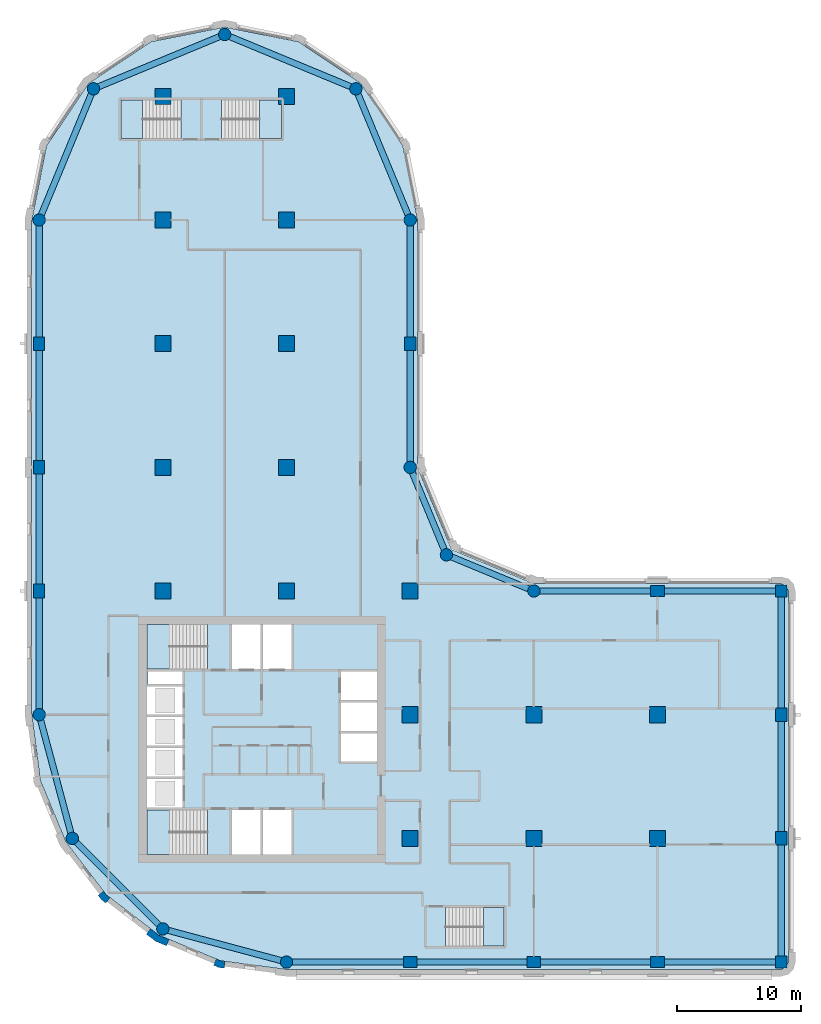
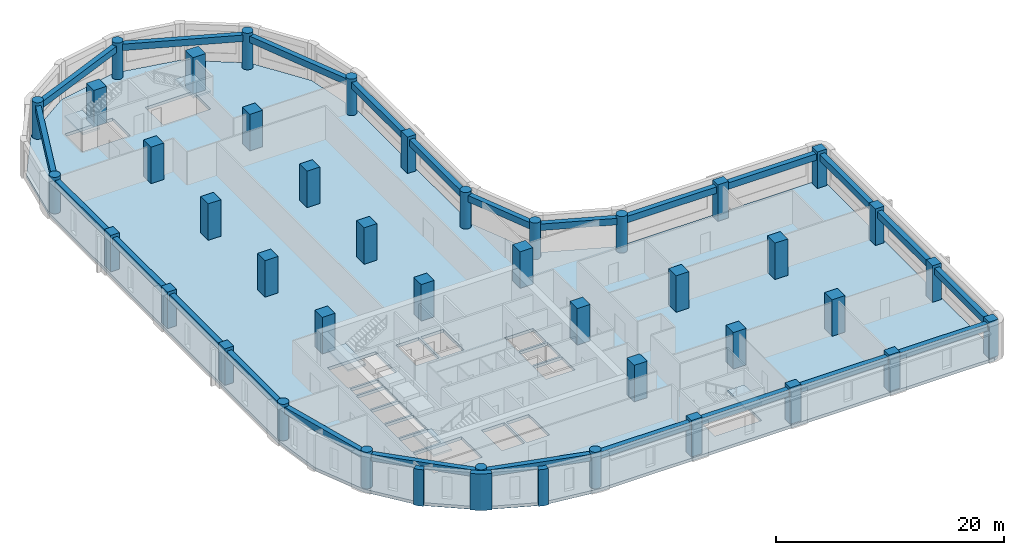
# One storey, part 1 of 9: 41 columns, 24 beams, 6 slabs, 3 walls, 5 elements without a shape of their own.
"""IFC4 building model written with IfcOpenShell, lengths in metres."""

import ifcopenshell
import ifcopenshell.guid

model = None  # the IFC model being written
_history = None  # IfcOwnerHistory: only IFC2X3 demands one
_inside = {}  # id of a spatial element -> (the spatial element, [elements in it])
_under = {}  # id of a project, library or spatial element -> (it, [spatial elements below it])
_declared = {}  # id of a project -> (the project, [libraries it declares])
_typed = {}  # id of a type object -> (the type object, [elements of that type])
_made_of = {}  # id of a material, layer set ... -> (it, [elements and type objects made of it])


def new_model(schema):
    """Start an empty IFC model of exactly this schema.

    Asked for "IFC4X3", IfcOpenShell would pick the latest addendum, in which some entities
    have other attributes; the version numbers below select the first issue.
    IFC2X3 requires an IfcOwnerHistory on every rooted entity: one is made here for all.
    """
    global model, _history
    if schema == "IFC4X3":
        model = ifcopenshell.file(schema_version=(4, 3, 0, 0))
    else:
        model = ifcopenshell.file(schema=schema)
    _inside.clear()
    _under.clear()
    _declared.clear()
    _typed.clear()
    _made_of.clear()
    _history = None
    if model.schema == "IFC2X3":
        org = make("IfcOrganization", Name="unknown")
        user = make(
            "IfcPersonAndOrganization",
            ThePerson=make("IfcPerson", FamilyName="unknown"),
            TheOrganization=org,
        )
        app = make(
            "IfcApplication",
            ApplicationDeveloper=org,
            Version="unknown",
            ApplicationFullName="unknown",
            ApplicationIdentifier="unknown",
        )
        _history = make(
            "IfcOwnerHistory",
            OwningUser=user,
            OwningApplication=app,
            ChangeAction="ADDED",
            CreationDate=0,
        )
    return model


def make(cls, **values):
    """One entity of the class cls with the attributes given. An attribute that is None is left unset."""
    return model.create_entity(
        cls, **{name: value for name, value in values.items() if value is not None}
    )


def rooted(cls, **values):
    """An entity with a GlobalId (a new one), such as an element, a storey or a relation."""
    return make(cls, GlobalId=ifcopenshell.guid.new(), OwnerHistory=_history, **values)


def si_unit(unit_type, name, prefix=None):
    """IfcSIUnit, for example si_unit("LENGTHUNIT", "METRE", prefix="MILLI")."""
    return make("IfcSIUnit", UnitType=unit_type, Prefix=prefix, Name=name)


def assignment(units):
    """IfcUnitAssignment: the units of a project."""
    return None if units is None else make("IfcUnitAssignment", Units=units)


def point(xyz):
    """IfcCartesianPoint."""
    return None if xyz is None else make("IfcCartesianPoint", Coordinates=xyz)


def direction(xyz):
    """IfcDirection."""
    return None if xyz is None else make("IfcDirection", DirectionRatios=xyz)


def frame(location, z_axis=None, x_axis=None):
    """IfcAxis2Placement3D, a coordinate frame: its origin and axes. An axis left out is left unset."""
    return make(
        "IfcAxis2Placement3D",
        Location=point(location),
        Axis=direction(z_axis),
        RefDirection=direction(x_axis),
    )


def frame_2d(location, x_axis=None):
    """IfcAxis2Placement2D, a coordinate frame in the plane: its origin and x axis."""
    return make(
        "IfcAxis2Placement2D", Location=point(location), RefDirection=direction(x_axis)
    )


def origin():
    """The frame at (0, 0, 0) with its axes left unset."""
    return frame((0.0, 0.0, 0.0))


def origin_2d():
    """The frame at (0, 0) in the plane with its x axis left unset."""
    return frame_2d((0.0, 0.0))


def place(relative_to, where):
    """IfcLocalPlacement: puts the frame where relative to a parent placement (None: the world)."""
    return make(
        "IfcLocalPlacement", PlacementRelTo=relative_to, RelativePlacement=where
    )


def context(
    kind, dimensions, precision=None, world=None, true_north=None, identifier=None
):
    """IfcGeometricRepresentationContext, for example the 3D "Model" context."""
    return make(
        "IfcGeometricRepresentationContext",
        ContextIdentifier=identifier,
        ContextType=kind,
        CoordinateSpaceDimension=dimensions,
        Precision=precision,
        WorldCoordinateSystem=world,
        TrueNorth=true_north,
    )


def subcontext(parent, identifier, kind, view, scale=None):
    """IfcGeometricRepresentationSubContext, for example "Body" below "Model"."""
    return make(
        "IfcGeometricRepresentationSubContext",
        ContextIdentifier=identifier,
        ContextType=kind,
        ParentContext=parent,
        TargetScale=scale,
        TargetView=view,
    )


def project(units=None, contexts=None):
    """IfcProject with its units and contexts."""
    return rooted(
        "IfcProject",
        Name="project",
        RepresentationContexts=contexts,
        UnitsInContext=assignment(units),
    )


def spatial(cls, under=None, at=None, **own):
    """A site, building, storey or space (cls), placed at a placement, below another one or the project."""
    s = rooted(cls, ObjectPlacement=at, **own)
    if under is not None:
        _under.setdefault(under.id(), (under, []))[1].append(s)
    return s


def polyline(points):
    """IfcPolyline through the points."""
    return make("IfcPolyline", Points=[point(p) for p in points])


def profile(cls, at=None, kind="AREA", **sizes):
    """A parametric profile (cls). Its sizes go by their IFC names, for example OverallWidth=200.0."""
    return make(cls, ProfileType=kind, Position=at, **sizes)


def rectangle(**sizes):
    """IfcRectangleProfileDef."""
    return profile("IfcRectangleProfileDef", **sizes)


def circle(**sizes):
    """IfcCircleProfileDef."""
    return profile("IfcCircleProfileDef", **sizes)


def outline(outer, holes=None, kind="AREA"):
    """IfcArbitraryClosedProfileDef: a profile drawn as a closed curve; with holes, ...WithVoids."""
    if holes is None:
        return make("IfcArbitraryClosedProfileDef", ProfileType=kind, OuterCurve=outer)
    return make(
        "IfcArbitraryProfileDefWithVoids",
        ProfileType=kind,
        OuterCurve=outer,
        InnerCurves=holes,
    )


def extrude(swept, where, along, depth):
    """IfcExtrudedAreaSolid: the profile swept, set in the frame where, extruded along a direction by depth."""
    return make(
        "IfcExtrudedAreaSolid",
        SweptArea=swept,
        Position=where,
        ExtrudedDirection=direction(along),
        Depth=depth,
    )


def shape(context_of_items, identifier, shape_type, items):
    """IfcShapeRepresentation: the items that make up one representation, for example the "Body"."""
    return make(
        "IfcShapeRepresentation",
        ContextOfItems=context_of_items,
        RepresentationIdentifier=identifier,
        RepresentationType=shape_type,
        Items=items,
    )


def material(Name=None, Category=None):
    """IfcMaterial."""
    return make("IfcMaterial", Name=Name, Category=Category)


def layer(
    of_material, thickness, ventilated=None, Name=None, Category=None, Priority=None
):
    """IfcMaterialLayer: one layer of a wall or slab, of a material (None: an air gap)."""
    return make(
        "IfcMaterialLayer",
        Material=of_material,
        LayerThickness=thickness,
        IsVentilated=ventilated,
        Name=Name,
        Category=Category,
        Priority=Priority,
    )


def layer_set(layers, Name=None):
    """IfcMaterialLayerSet."""
    return make("IfcMaterialLayerSet", MaterialLayers=layers, LayerSetName=Name)


def material_profile(
    of_material, cross_section, Name=None, Category=None, Priority=None
):
    """IfcMaterialProfile: a cross section and its material."""
    return make(
        "IfcMaterialProfile",
        Name=Name,
        Material=of_material,
        Profile=cross_section,
        Priority=Priority,
        Category=Category,
    )


def profile_set(profiles, Name=None, composite=None):
    """IfcMaterialProfileSet."""
    return make(
        "IfcMaterialProfileSet",
        Name=Name,
        MaterialProfiles=profiles,
        CompositeProfile=composite,
    )


def made_of(thing, what):
    """Note that an element or type object is made of a material, layer set ...; save() writes the relation."""
    if what is not None:
        _made_of.setdefault(what.id(), (what, []))[1].append(thing)
    return thing


def type_object(cls, material=None, **own):
    """A type object (cls), such as IfcWallType, which elements share."""
    return made_of(rooted(cls, **own), material)


def element(
    cls,
    number,
    at=None,
    inside=None,
    cuts=None,
    type_object=None,
    material=None,
    context=None,
    identifier="Body",
    shape_type=None,
    held_by="IfcProductDefinitionShape",
    body=None,
    shapes=None,
    **own,
):
    """One element of the class cls, such as IfcWall. Its Tag is "e" and its number.

    at: its placement. inside: the storey or other place that contains it. cuts: it is an
    opening in that element (IfcRelVoidsElement). A single representation is given by context,
    identifier, shape_type and body (its items); several are given by shapes. held_by: the class
    of the entity that holds the representations. save() writes the other relations.
    """
    e = rooted(cls, Tag="e%d" % number, ObjectPlacement=at, **own)
    if body is not None:
        shapes = [shape(context, identifier, shape_type, body)]
    if shapes is not None:
        e.Representation = make(held_by, Representations=shapes)
    if inside is not None:
        _inside.setdefault(inside.id(), (inside, []))[1].append(e)
    if cuts is not None:
        rooted(
            "IfcRelVoidsElement", RelatingBuildingElement=cuts, RelatedOpeningElement=e
        )
    if type_object is not None:
        _typed.setdefault(type_object.id(), (type_object, []))[1].append(e)
    return made_of(e, material)


def aggregate(whole, parts):
    """IfcRelAggregates: a whole, such as a stair, and the parts it consists of."""
    return rooted("IfcRelAggregates", RelatingObject=whole, RelatedObjects=parts)


def save(model, path):
    """Write the relations noted so far, then the file.

    IfcRelAggregates (storeys below a building ...), IfcRelContainedInSpatialStructure (elements
    in a storey), IfcRelDefinesByType, IfcRelAssociatesMaterial and IfcRelDeclares: one each for
    every whole, place, type object, material and project.
    """
    for whole, parts in _under.values():
        aggregate(whole, parts)
    for where, things in _inside.values():
        rooted(
            "IfcRelContainedInSpatialStructure",
            RelatedElements=things,
            RelatingStructure=where,
        )
    for kind, things in _typed.values():
        rooted("IfcRelDefinesByType", RelatedObjects=things, RelatingType=kind)
    for what, things in _made_of.values():
        rooted("IfcRelAssociatesMaterial", RelatedObjects=things, RelatingMaterial=what)
    for by, libraries in _declared.values():
        rooted("IfcRelDeclares", RelatingContext=by, RelatedDefinitions=libraries)
    model.write(path)


model = new_model("IFC4")

# Units and contexts
model_context = context("Model", 3, precision=1e-05, world=origin(), true_north=direction((0.0, 1.0)))
body_context = subcontext(model_context, "Body", "Model", "MODEL_VIEW")
ifc_project = project(units=[si_unit("LENGTHUNIT", "METRE"), si_unit("AREAUNIT", "SQUARE_METRE"), si_unit("VOLUMEUNIT", "CUBIC_METRE"), si_unit("PLANEANGLEUNIT", "RADIAN"), si_unit("MASSUNIT", "GRAM", prefix="KILO")], contexts=[model_context])

# Site, building, storey
site_placement = place(None, origin())
site = spatial("IfcSite", under=ifc_project, at=site_placement, CompositionType="ELEMENT")
building_placement = place(site_placement, origin())
building = spatial("IfcBuilding", under=site, at=building_placement, Name="Qaws Garden Tower", CompositionType="ELEMENT")
storey_placement = place(building_placement, frame((0.0, 0.0, 221.39990234375)))
storey = spatial("IfcBuildingStorey", under=building, at=storey_placement, Name="L54", CompositionType="ELEMENT", Elevation=221.39990234375)

# Columns
ifc_material_1 = material(Name="Concrete C70", Category="concrete")
ifc_material_profile_1 = material_profile(ifc_material_1, rectangle(XDim=1.10009765625, YDim=0.89990234375, at=origin_2d()), Name="RC 1100x900")
ifc_profile_set_1 = profile_set([ifc_material_profile_1], Name="Concrete C70")
column_type_1 = type_object("IfcColumnType", Name="Column RC 1100x900 C70", PredefinedType="COLUMN", material=ifc_profile_set_1)
for number, where, z_axis, x_axis, name in (
    (1, (30.0, 0.0, 0.0), (0.0, 0.0, 1.0), (1.0, 0.0, 0.0), "Column L54-002"),
    (2, (40.0, 0.0, 0.0), (0.0, 0.0, 1.0), (1.0, 0.0, 0.0), "Column L54-003"),
    (3, (50.0, 0.0, 0.0), (0.0, 0.0, 1.0), (1.0, 0.0, 0.0), "Column L54-004"),
    (4, (60.0, 10.0, 0.0), (0.0, 0.0, 1.0), (0.0, 1.0, 0.0), "Column L54-006"),
    (5, (60.0, 20.0, 0.0), (0.0, 0.0, 1.0), (0.0, 1.0, 0.0), "Column L54-007"),
    (6, (50.0, 30.0, 0.0), (0.0, 0.0, 1.0), (1.0, 0.0, 0.0), "Column L54-009"),
    (7, (30.0, 50.0, 0.0), (0.0, 0.0, 1.0), (0.0, 1.0, 0.0), "Column L54-013"),
    (8, (0.0, 50.0, 0.0), (0.0, 0.0, 1.0), (0.0, 1.0, 0.0), "Column L54-019"),
    (9, (0.0, 40.0, 0.0), (0.0, 0.0, 1.0), (0.0, 1.0, 0.0), "Column L54-020"),
    (10, (0.0, 30.0, 0.0), (0.0, 0.0, 1.0), (0.0, 1.0, 0.0), "Column L54-021"),
):
    element("IfcColumn", number, at=place(storey_placement, frame(where, z_axis=z_axis, x_axis=x_axis)), inside=storey, type_object=column_type_1, Name=name, PredefinedType="COLUMN", context=body_context, shape_type="SweptSolid", body=[
        extrude(rectangle(XDim=1.10009765625, YDim=0.89990234375, at=origin_2d()), origin(), (0.0, 0.0, 1.0), 3.900146484375),
    ])
ifc_material_2 = material(Name="Concrete C70", Category="concrete")
ifc_material_profile_2 = material_profile(ifc_material_2, rectangle(XDim=1.300048828125, YDim=1.300048828125, at=origin_2d()), Name="RC 1300x1300")
ifc_profile_set_2 = profile_set([ifc_material_profile_2], Name="Concrete C70")
column_type_2 = type_object("IfcColumnType", Name="Column RC 1300x1300 C70", PredefinedType="COLUMN", material=ifc_profile_set_2)
for number, where, z_axis, x_axis, name in (
    (11, (10.0, 30.0, 0.0), (0.0, 0.0, 1.0), (1.0, 0.0, 0.0), "Column L54-025"),
    (12, (10.0, 40.0, 0.0), (0.0, 0.0, 1.0), (1.0, 0.0, 0.0), "Column L54-026"),
    (13, (10.0, 50.0, 0.0), (0.0, 0.0, 1.0), (1.0, 0.0, 0.0), "Column L54-027"),
    (14, (10.0, 60.0, 0.0), (0.0, 0.0, 1.0), (1.0, 0.0, 0.0), "Column L54-028"),
    (15, (10.0, 70.0, 0.0), (0.0, 0.0, 1.0), (1.0, 0.0, 0.0), "Column L54-029"),
    (16, (20.0, 30.0, 0.0), (0.0, 0.0, 1.0), (1.0, 0.0, 0.0), "Column L54-030"),
    (17, (20.0, 40.0, 0.0), (0.0, 0.0, 1.0), (1.0, 0.0, 0.0), "Column L54-031"),
    (18, (20.0, 50.0, 0.0), (0.0, 0.0, 1.0), (1.0, 0.0, 0.0), "Column L54-032"),
    (19, (20.0, 60.0, 0.0), (0.0, 0.0, 1.0), (1.0, 0.0, 0.0), "Column L54-033"),
    (20, (20.0, 70.0, 0.0), (0.0, 0.0, 1.0), (1.0, 0.0, 0.0), "Column L54-034"),
    (21, (30.0, 10.0, 0.0), (0.0, 0.0, 1.0), (1.0, 0.0, 0.0), "Column L54-035"),
    (22, (30.0, 20.0, 0.0), (0.0, 0.0, 1.0), (1.0, 0.0, 0.0), "Column L54-036"),
    (23, (30.0, 30.0, 0.0), (0.0, 0.0, 1.0), (1.0, 0.0, 0.0), "Column L54-037"),
    (24, (40.0, 10.0, 0.0), (0.0, 0.0, 1.0), (1.0, 0.0, 0.0), "Column L54-038"),
    (25, (40.0, 20.0, 0.0), (0.0, 0.0, 1.0), (1.0, 0.0, 0.0), "Column L54-039"),
    (26, (50.0, 10.0, 0.0), (0.0, 0.0, 1.0), (1.0, 0.0, 0.0), "Column L54-040"),
    (27, (50.0, 20.0, 0.0), (0.0, 0.0, 1.0), (1.0, 0.0, 0.0), "Column L54-041"),
):
    element("IfcColumn", number, at=place(storey_placement, frame(where, z_axis=z_axis, x_axis=x_axis)), inside=storey, type_object=column_type_2, Name=name, PredefinedType="COLUMN", context=body_context, shape_type="SweptSolid", body=[
        extrude(rectangle(XDim=1.300048828125, YDim=1.300048828125, at=origin_2d()), origin(), (0.0, 0.0, 1.0), 3.900146484375),
    ])
ifc_material_3 = material(Name="Concrete C70", Category="concrete")
ifc_material_profile_3 = material_profile(ifc_material_3, rectangle(XDim=0.949951171875, YDim=0.949951171875, at=origin_2d()), Name="RC 950x950")
ifc_profile_set_3 = profile_set([ifc_material_profile_3], Name="Concrete C70")
column_type_3 = type_object("IfcColumnType", Name="Column RC 950x950 C70", PredefinedType="COLUMN", material=ifc_profile_set_3)
for number, where, z_axis, x_axis, name in (
    (28, (60.0, 0.0, 0.0), (0.0, 0.0, 1.0), (1.0, 0.0, 0.0), "Column L54-005"),
    (29, (60.0, 30.0, 0.0), (0.0, 0.0, 1.0), (1.0, 0.0, 0.0), "Column L54-008"),
):
    element("IfcColumn", number, at=place(storey_placement, frame(where, z_axis=z_axis, x_axis=x_axis)), inside=storey, type_object=column_type_3, Name=name, PredefinedType="COLUMN", context=body_context, shape_type="SweptSolid", body=[
        extrude(rectangle(XDim=0.949951171875, YDim=0.949951171875, at=origin_2d()), origin(), (0.0, 0.0, 1.0), 3.900146484375),
    ])
ifc_material_4 = material(Name="Concrete C70", Category="concrete")
ifc_material_profile_4 = material_profile(ifc_material_4, circle(Radius=0.5, at=origin_2d()), Name="RC D1000")
ifc_profile_set_4 = profile_set([ifc_material_profile_4], Name="Concrete C70")
column_type_4 = type_object("IfcColumnType", Name="Column RC D1000 C70", PredefinedType="COLUMN", material=ifc_profile_set_4)
for number, where, z_axis, x_axis, name in (
    (30, (20.0, 0.0, 0.0), (0.0, 0.0, 1.0), (1.0, 0.0, 0.0), "Column L54-001"),
    (31, (40.0, 30.0, 0.0), (0.0, 0.0, 1.0), (1.0, 0.0, 0.0), "Column L54-010"),
    (32, (32.928955078125, 32.928955078125, 0.0), (0.0, 0.0, 1.0), (1.0, 0.0, 0.0), "Column L54-011"),
    (33, (30.0, 40.0, 0.0), (0.0, 0.0, 1.0), (1.0, 0.0, 0.0), "Column L54-012"),
    (34, (30.0, 60.0, 0.0), (0.0, 0.0, 1.0), (1.0, 0.0, 0.0), "Column L54-014"),
    (35, (25.606689453125, 70.606689453125, 0.0), (0.0, 0.0, 1.0), (1.0, 0.0, 0.0), "Column L54-015"),
    (36, (15.0, 75.0, 0.0), (0.0, 0.0, 1.0), (1.0, 0.0, 0.0), "Column L54-016"),
    (37, (4.393310546875, 70.606689453125, 0.0), (0.0, 0.0, 1.0), (1.0, 0.0, 0.0), "Column L54-017"),
    (38, (0.0, 60.0, 0.0), (0.0, 0.0, 1.0), (1.0, 0.0, 0.0), "Column L54-018"),
    (39, (0.0, 20.0, 0.0), (0.0, 0.0, 1.0), (1.0, 0.0, 0.0), "Column L54-022"),
    (40, (2.679443359375, 10.0, 0.0), (0.0, 0.0, 1.0), (1.0, 0.0, 0.0), "Column L54-023"),
    (41, (10.0, 2.679443359375, 0.0), (0.0, 0.0, 1.0), (1.0, 0.0, 0.0), "Column L54-024"),
):
    element("IfcColumn", number, at=place(storey_placement, frame(where, z_axis=z_axis, x_axis=x_axis)), inside=storey, type_object=column_type_4, Name=name, PredefinedType="COLUMN", context=body_context, shape_type="SweptSolid", body=[
        extrude(circle(Radius=0.5, at=origin_2d()), origin(), (0.0, 0.0, 1.0), 3.900146484375),
    ])

# Beams
ifc_material_5 = material(Name="Concrete C45", Category="concrete")
ifc_material_profile_5 = material_profile(ifc_material_5, rectangle(XDim=0.5, YDim=0.699951171875, at=origin_2d()), Name="RC 500x700")
ifc_profile_set_5 = profile_set([ifc_material_profile_5], Name="Concrete C45")
beam_type = type_object("IfcBeamType", Name="Spandrel beam RC 500x700 C45", PredefinedType="SPANDREL", material=ifc_profile_set_5)
for number, where, z_axis, x_axis, name in (
    (42, (20.0, 0.0, 3.22998046875), (1.0, 0.0, 0.0), (0.0, 1.0, 0.0), "Spandrel beam L54-001"),
    (43, (30.0, 0.0, 3.22998046875), (1.0, 0.0, 0.0), (0.0, 1.0, 0.0), "Spandrel beam L54-002"),
    (44, (40.0, 0.0, 3.22998046875), (1.0, 0.0, 0.0), (0.0, 1.0, 0.0), "Spandrel beam L54-003"),
    (45, (50.0, 0.0, 3.22998046875), (1.0, 0.0, 0.0), (0.0, 1.0, 0.0), "Spandrel beam L54-004"),
    (46, (60.0, 0.0, 3.22998046875), (0.0, 1.0, 0.0), (-1.0, 0.0, 0.0), "Spandrel beam L54-005"),
    (47, (60.0, 10.0, 3.22998046875), (0.0, 1.0, 0.0), (-1.0, 0.0, 0.0), "Spandrel beam L54-006"),
    (48, (60.0, 20.0, 3.22998046875), (0.0, 1.0, 0.0), (-1.0, 0.0, 0.0), "Spandrel beam L54-007"),
    (49, (60.0, 30.0, 3.22998046875), (-1.0, 0.0, 0.0), (0.0, -1.0, 0.0), "Spandrel beam L54-008"),
    (50, (50.0, 30.0, 3.22998046875), (-1.0, 0.0, 0.0), (0.0, -1.0, 0.0), "Spandrel beam L54-009"),
):
    element("IfcBeam", number, at=place(storey_placement, frame(where, z_axis=z_axis, x_axis=x_axis)), inside=storey, type_object=beam_type, Name=name, PredefinedType="SPANDREL", context=body_context, shape_type="SweptSolid", body=[
        extrude(rectangle(XDim=0.5, YDim=0.699951171875, at=origin_2d()), origin(), (0.0, 0.0, 1.0), 10.0),
    ])
for number, where, z_axis, x_axis, name in (
    (51, (40.0, 30.0, 3.22998046875), (-0.923878037141, 0.382687042488, 0.0), (-0.382687042488, -0.923878037141, 0.0), "Spandrel beam L54-010"),
    (52, (32.928955078125, 32.928955078125, 3.22998046875), (-0.382687042488, 0.923878037141, 0.0), (-0.923878037141, -0.382687042488, 0.0), "Spandrel beam L54-011"),
):
    element("IfcBeam", number, at=place(storey_placement, frame(where, z_axis=z_axis, x_axis=x_axis)), inside=storey, type_object=beam_type, Name=name, PredefinedType="SPANDREL", context=body_context, shape_type="SweptSolid", body=[
        extrude(rectangle(XDim=0.5, YDim=0.699951171875, at=origin_2d()), origin(), (0.0, 0.0, 1.0), 7.653564453125),
    ])
for number, where, z_axis, x_axis, name in (
    (53, (30.0, 40.0, 3.22998046875), (0.0, 1.0, 0.0), (-1.0, 0.0, 0.0), "Spandrel beam L54-012"),
    (54, (30.0, 50.0, 3.22998046875), (0.0, 1.0, 0.0), (-1.0, 0.0, 0.0), "Spandrel beam L54-013"),
):
    element("IfcBeam", number, at=place(storey_placement, frame(where, z_axis=z_axis, x_axis=x_axis)), inside=storey, type_object=beam_type, Name=name, PredefinedType="SPANDREL", context=body_context, shape_type="SweptSolid", body=[
        extrude(rectangle(XDim=0.5, YDim=0.699951171875, at=origin_2d()), origin(), (0.0, 0.0, 1.0), 10.0),
    ])
for number, where, z_axis, x_axis, name in (
    (55, (30.0, 60.0, 3.22998046875), (-0.382674207535, 0.923883353507, 0.0), (-0.923883353507, -0.382674207535, 0.0), "Spandrel beam L54-014"),
    (56, (25.606689453125, 70.606689453125, 3.22998046875), (-0.923883353507, 0.382674207535, 0.0), (-0.382674207535, -0.923883353507, 0.0), "Spandrel beam L54-015"),
    (57, (15.0, 75.0, 3.22998046875), (-0.923883353507, -0.382674207535, 0.0), (0.382674207535, -0.923883353507, 0.0), "Spandrel beam L54-016"),
    (58, (4.393310546875, 70.606689453125, 3.22998046875), (-0.382674207535, -0.923883353507, 0.0), (0.923883353507, -0.382674207535, 0.0), "Spandrel beam L54-017"),
):
    element("IfcBeam", number, at=place(storey_placement, frame(where, z_axis=z_axis, x_axis=x_axis)), inside=storey, type_object=beam_type, Name=name, PredefinedType="SPANDREL", context=body_context, shape_type="SweptSolid", body=[
        extrude(rectangle(XDim=0.5, YDim=0.699951171875, at=origin_2d()), origin(), (0.0, 0.0, 1.0), 11.48046875),
    ])
for number, where, z_axis, x_axis, name in (
    (59, (0.0, 60.0, 3.22998046875), (0.0, -1.0, 0.0), (1.0, 0.0, 0.0), "Spandrel beam L54-018"),
    (60, (0.0, 50.0, 3.22998046875), (0.0, -1.0, 0.0), (1.0, 0.0, 0.0), "Spandrel beam L54-019"),
    (61, (0.0, 40.0, 3.22998046875), (0.0, -1.0, 0.0), (1.0, 0.0, 0.0), "Spandrel beam L54-020"),
    (62, (0.0, 30.0, 3.22998046875), (0.0, -1.0, 0.0), (1.0, 0.0, 0.0), "Spandrel beam L54-021"),
):
    element("IfcBeam", number, at=place(storey_placement, frame(where, z_axis=z_axis, x_axis=x_axis)), inside=storey, type_object=beam_type, Name=name, PredefinedType="SPANDREL", context=body_context, shape_type="SweptSolid", body=[
        extrude(rectangle(XDim=0.5, YDim=0.699951171875, at=origin_2d()), origin(), (0.0, 0.0, 1.0), 10.0),
    ])
for number, where, z_axis, x_axis, name in (
    (63, (0.0, 20.0, 3.22998046875), (0.25881466832, -0.965926999034, 0.0), (0.965926999034, 0.25881466832, 0.0), "Spandrel beam L54-022"),
    (64, (2.679443359375, 10.0, 3.22998046875), (0.707106781187, -0.707106781187, 0.0), (0.707106781187, 0.707106781187, 0.0), "Spandrel beam L54-023"),
    (65, (10.0, 2.679443359375, 3.22998046875), (0.965926999034, -0.25881466832, 0.0), (0.25881466832, 0.965926999034, 0.0), "Spandrel beam L54-024"),
):
    element("IfcBeam", number, at=place(storey_placement, frame(where, z_axis=z_axis, x_axis=x_axis)), inside=storey, type_object=beam_type, Name=name, PredefinedType="SPANDREL", context=body_context, shape_type="SweptSolid", body=[
        extrude(rectangle(XDim=0.5, YDim=0.699951171875, at=origin_2d()), origin(), (0.0, 0.0, 1.0), 10.352783203125),
    ])

# Slab
ifc_material_6 = material(Name="Concrete C40", Category="concrete")
ifc_layer_1 = layer(ifc_material_6, 0.320068359375)
ifc_layer_set_1 = layer_set([ifc_layer_1], Name="Concrete C40")
slab_type_1 = type_object("IfcSlabType", Name="Floor slab 320 C40", PredefinedType="FLOOR", material=ifc_layer_set_1)
slab_1_placement = place(storey_placement, frame((0.0, 0.0, -0.31982421875)))
element("IfcSlab", 66, at=slab_1_placement, inside=storey, type_object=slab_type_1, Name="Floor slab L54", PredefinedType="FLOOR", context=body_context, shape_type="SweptSolid", body=[
    extrude(outline(polyline([(0.101806640625, 14.668212890625), (-0.60009765625, 20.0), (-0.60009765625, 30.60009765625), (-0.60009765625, 60.0), (-0.60009765625, 60.0), (0.58740234375, 65.969970703125), (3.968994140625, 71.031005859375), (9.030029296875, 74.41259765625), (15.0, 75.60009765625), (20.969970703125, 74.41259765625), (26.031005859375, 71.031005859375), (29.41259765625, 65.969970703125), (30.60009765625, 60.0), (30.60009765625, 40.0), (33.353271484375, 33.353271484375), (40.0, 30.60009765625), (60.0, 30.60009765625), (60.42431640625, 30.42431640625), (60.60009765625, 30.0), (60.60009765625, 0.0), (60.42431640625, -0.42431640625), (60.0, -0.60009765625), (30.60009765625, -0.60009765625), (20.0, -0.60009765625), (14.668212890625, 0.101806640625), (9.699951171875, 2.159912109375), (5.43359375, 5.43359375), (2.159912109375, 9.699951171875), (0.101806640625, 14.668212890625)]), holes=[polyline([(13.599609375, 12.300048828125), (8.699951171875, 12.300048828125), (8.699951171875, 8.699951171875), (13.599609375, 8.699951171875), (13.599609375, 12.300048828125)]), polyline([(17.89990234375, 12.300048828125), (15.60009765625, 12.300048828125), (15.60009765625, 8.699951171875), (17.89990234375, 8.699951171875), (17.89990234375, 12.300048828125)]), polyline([(11.60009765625, 14.800048828125), (8.699951171875, 14.800048828125), (8.699951171875, 12.5), (11.60009765625, 12.5), (11.60009765625, 14.800048828125)]), polyline([(11.60009765625, 17.300048828125), (8.699951171875, 17.300048828125), (8.699951171875, 15.0), (11.60009765625, 15.0), (11.60009765625, 17.300048828125)]), polyline([(11.60009765625, 19.800048828125), (8.699951171875, 19.800048828125), (8.699951171875, 17.5), (11.60009765625, 17.5), (11.60009765625, 19.800048828125)]), polyline([(11.60009765625, 22.300048828125), (8.699951171875, 22.300048828125), (8.699951171875, 20.0), (11.60009765625, 20.0), (11.60009765625, 22.300048828125)]), polyline([(11.60009765625, 23.5), (8.800048828125, 23.5), (8.800048828125, 22.5), (11.60009765625, 22.5), (11.60009765625, 23.5)]), polyline([(13.599609375, 27.300048828125), (8.699951171875, 27.300048828125), (8.699951171875, 23.699951171875), (13.599609375, 23.699951171875), (13.599609375, 27.300048828125)]), polyline([(11.449462890625, 69.699951171875), (6.60009765625, 69.699951171875), (6.60009765625, 66.60009765625), (11.449462890625, 66.60009765625), (11.449462890625, 69.699951171875)]), polyline([(37.60009765625, 4.39990234375), (32.8505859375, 4.39990234375), (32.8505859375, 1.300048828125), (37.60009765625, 1.300048828125), (37.60009765625, 4.39990234375)]), polyline([(20.39990234375, 12.300048828125), (18.10009765625, 12.300048828125), (18.10009765625, 8.699951171875), (20.39990234375, 8.699951171875), (20.39990234375, 12.300048828125)]), polyline([(27.300048828125, 18.5), (24.39990234375, 18.5), (24.39990234375, 16.199951171875), (27.300048828125, 16.199951171875), (27.300048828125, 18.5)]), polyline([(27.300048828125, 21.0), (24.39990234375, 21.0), (24.39990234375, 18.699951171875), (27.300048828125, 18.699951171875), (27.300048828125, 21.0)]), polyline([(27.300048828125, 23.5), (24.39990234375, 23.5), (24.39990234375, 21.199951171875), (27.300048828125, 21.199951171875), (27.300048828125, 23.5)]), polyline([(17.89990234375, 27.300048828125), (15.60009765625, 27.300048828125), (15.60009765625, 23.699951171875), (17.89990234375, 23.699951171875), (17.89990234375, 27.300048828125)]), polyline([(20.39990234375, 23.699951171875), (20.39990234375, 27.300048828125), (18.10009765625, 27.300048828125), (18.10009765625, 23.699951171875), (20.39990234375, 23.699951171875)]), polyline([(19.60009765625, 66.60009765625), (19.60009765625, 69.699951171875), (14.75048828125, 69.699951171875), (14.75048828125, 66.60009765625), (19.60009765625, 66.60009765625)])]), origin(), (0.0, 0.0, 1.0), 0.31982421875),
])

# Stair, slab
ifc_material_7 = material(Name="Concrete C40", Category="concrete")
stair_type_1 = type_object("IfcStairType", Name="Exit stair 1500", PredefinedType="HALF_TURN_STAIR", material=ifc_material_7)
placement_1 = place(storey_placement, origin())
stair_1 = element("IfcStair", 67, at=placement_1, inside=storey, type_object=stair_type_1, Name="Stair 1", PredefinedType="HALF_TURN_STAIR")
ifc_material_8 = material(Name="Concrete C40", Category="concrete")
ifc_layer_2 = layer(ifc_material_8, 0.199951171875)
ifc_layer_set_2 = layer_set([ifc_layer_2], Name="Concrete C40")
slab_type_2 = type_object("IfcSlabType", Name="Stair landing 200", PredefinedType="LANDING", material=ifc_layer_set_2)
placement_2 = place(storey_placement, frame((0.0, 0.0, 1.75)))
slab_2 = element("IfcSlab", 68, at=placement_2, type_object=slab_type_2, Name="ST1 landing 1", PredefinedType="LANDING", context=body_context, shape_type="SweptSolid", body=[
    extrude(outline(polyline([(8.699951171875, 8.699951171875), (10.52001953125, 8.699951171875), (10.52001953125, 12.300048828125), (8.699951171875, 12.300048828125), (8.699951171875, 8.699951171875)])), origin(), (0.0, 0.0, 1.0), 0.2001953125),
])
aggregate(stair_1, [slab_2])

stair_2 = element("IfcStair", 69, at=placement_1, inside=storey, type_object=stair_type_1, Name="Stair 4", PredefinedType="HALF_TURN_STAIR")
slab_3 = element("IfcSlab", 70, at=placement_2, type_object=slab_type_2, Name="ST4 landing 1", PredefinedType="LANDING", context=body_context, shape_type="SweptSolid", body=[
    extrude(outline(polyline([(8.699951171875, 23.699951171875), (10.52001953125, 23.699951171875), (10.52001953125, 27.300048828125), (8.699951171875, 27.300048828125), (8.699951171875, 23.699951171875)])), origin(), (0.0, 0.0, 1.0), 0.2001953125),
])
aggregate(stair_2, [slab_3])

ifc_material_9 = material(Name="Concrete C40", Category="concrete")
stair_type_2 = type_object("IfcStairType", Name="Exit stair 1350", PredefinedType="HALF_TURN_STAIR", material=ifc_material_9)
stair_3 = element("IfcStair", 71, at=placement_1, inside=storey, type_object=stair_type_2, Name="Stair 5", PredefinedType="HALF_TURN_STAIR")
slab_4 = element("IfcSlab", 72, at=placement_2, type_object=slab_type_2, Name="ST5 landing 1", PredefinedType="LANDING", context=body_context, shape_type="SweptSolid", body=[
    extrude(outline(polyline([(35.929931640625, 1.300048828125), (37.60009765625, 1.300048828125), (37.60009765625, 4.39990234375), (35.929931640625, 4.39990234375), (35.929931640625, 1.300048828125)])), origin(), (0.0, 0.0, 1.0), 0.2001953125),
])
aggregate(stair_3, [slab_4])

stair_4 = element("IfcStair", 73, at=placement_1, inside=storey, type_object=stair_type_2, Name="Stair 6", PredefinedType="HALF_TURN_STAIR")
slab_5 = element("IfcSlab", 74, at=placement_2, type_object=slab_type_2, Name="ST6 landing 1", PredefinedType="LANDING", context=body_context, shape_type="SweptSolid", body=[
    extrude(outline(polyline([(6.60009765625, 66.60009765625), (8.3701171875, 66.60009765625), (8.3701171875, 69.699951171875), (6.60009765625, 69.699951171875), (6.60009765625, 66.60009765625)])), origin(), (0.0, 0.0, 1.0), 0.2001953125),
])
aggregate(stair_4, [slab_5])

stair_5 = element("IfcStair", 75, at=placement_1, inside=storey, type_object=stair_type_2, Name="Stair 7", PredefinedType="HALF_TURN_STAIR")
slab_6 = element("IfcSlab", 76, at=placement_2, type_object=slab_type_2, Name="ST7 landing 1", PredefinedType="LANDING", context=body_context, shape_type="SweptSolid", body=[
    extrude(outline(polyline([(17.830078125, 66.60009765625), (19.60009765625, 66.60009765625), (19.60009765625, 69.699951171875), (17.830078125, 69.699951171875), (17.830078125, 66.60009765625)])), origin(), (0.0, 0.0, 1.0), 0.2001953125),
])
aggregate(stair_5, [slab_6])

# Walls
ifc_material_10 = material(Name="Clay facing brick masonry", Category="masonry")
ifc_layer_3 = layer(ifc_material_10, 0.550048828125)
ifc_layer_set_3 = layer_set([ifc_layer_3], Name="Clay facing brick masonry")
wall_type_1 = type_object("IfcWallType", Name="Brick kink pier 550 x 600", PredefinedType="SOLIDWALL", material=ifc_layer_set_3)
element("IfcWall", 77, at=placement_1, inside=storey, type_object=wall_type_1, Name="E-L54-pier-28", PredefinedType="SOLIDWALL", context=body_context, shape_type="SweptSolid", body=[
    extrude(outline(polyline([(4.8818359375, 5.487060546875), (4.762939453125, 5.395751953125), (5.03759765625, 5.03759765625), (5.395751953125, 4.762939453125), (5.487060546875, 4.8818359375), (5.730712890625, 5.19921875), (5.429931640625, 5.429931640625), (5.19921875, 5.730712890625), (4.8818359375, 5.487060546875)])), origin(), (0.0, 0.0, 1.0), 3.900146484375),
])
element("IfcWall", 78, at=placement_1, inside=storey, type_object=wall_type_1, Name="E-L54-pier-30", PredefinedType="SOLIDWALL", context=body_context, shape_type="SweptSolid", body=[
    extrude(outline(polyline([(14.163818359375, -0.127685546875), (14.1064453125, -0.26611328125), (14.5234375, -0.43896484375), (14.970947265625, -0.497802734375), (14.990478515625, -0.34912109375), (15.042724609375, 0.04736328125), (14.6669921875, 0.096923828125), (14.31689453125, 0.241943359375), (14.163818359375, -0.127685546875)])), origin(), (0.0, 0.0, 1.0), 3.900146484375),
])
ifc_material_11 = material(Name="Clay facing brick masonry", Category="masonry")
ifc_layer_4 = layer(ifc_material_11, 0.550048828125)
ifc_layer_set_4 = layer_set([ifc_layer_4], Name="Clay facing brick masonry")
wall_type_2 = type_object("IfcWallType", Name="Brick pier 550 x 1600", PredefinedType="SOLIDWALL", material=ifc_layer_set_4)
element("IfcWall", 79, at=placement_1, inside=storey, type_object=wall_type_2, Name="E-L54-pier-29", PredefinedType="SOLIDWALL", context=body_context, shape_type="SweptSolid", body=[
    extrude(outline(polyline([(8.756591796875, 2.373046875), (8.665283203125, 2.254150390625), (9.419921875, 1.675048828125), (10.299072265625, 1.310791015625), (10.3564453125, 1.449462890625), (10.509521484375, 1.819091796875), (9.697509765625, 2.1552734375), (9.0, 2.6904296875), (8.756591796875, 2.373046875)])), origin(), (0.0, 0.0, 1.0), 3.900146484375),
])

save(model, "model.ifc")
